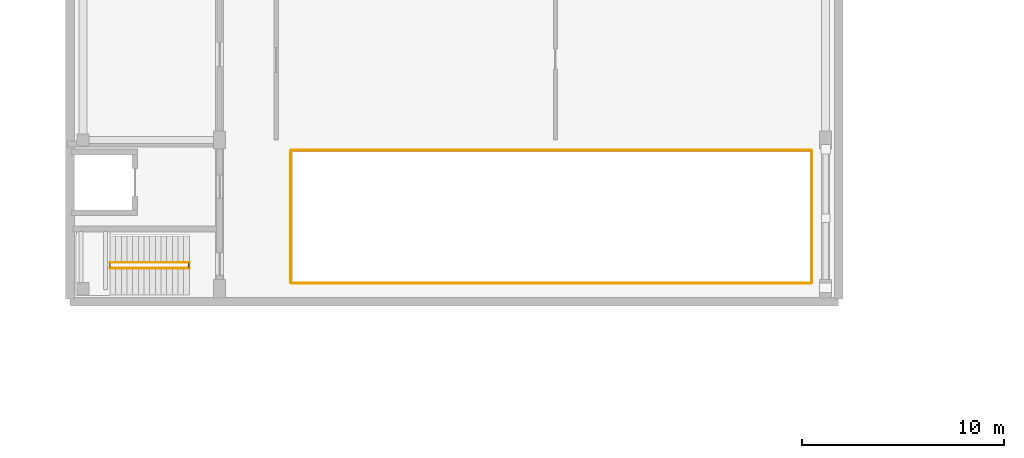
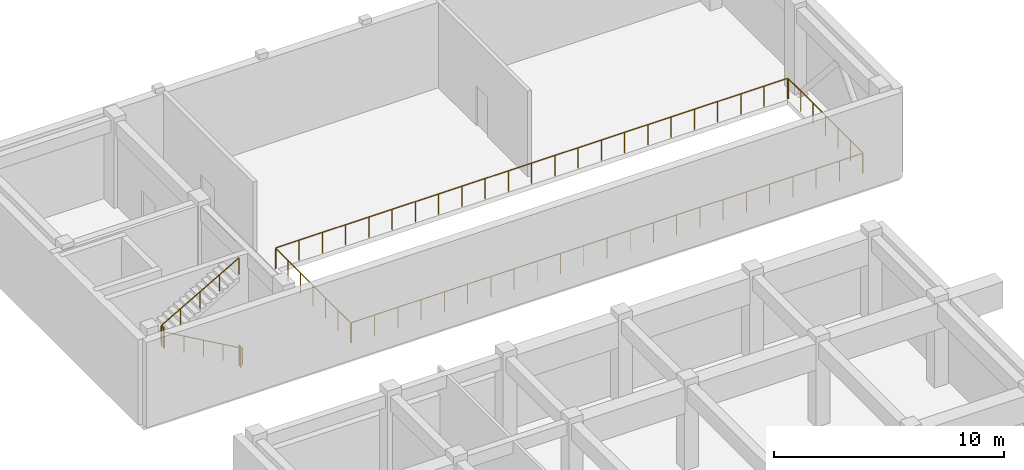
# One storey, part 57 of 64: 8 railings.
"""IFC4 building model written with IfcOpenShell, lengths in metres."""

import ifcopenshell
import ifcopenshell.guid

model = None  # the IFC model being written
_history = None  # IfcOwnerHistory: only IFC2X3 demands one
_inside = {}  # id of a spatial element -> (the spatial element, [elements in it])
_under = {}  # id of a project, library or spatial element -> (it, [spatial elements below it])
_declared = {}  # id of a project -> (the project, [libraries it declares])
_typed = {}  # id of a type object -> (the type object, [elements of that type])
_made_of = {}  # id of a material, layer set ... -> (it, [elements and type objects made of it])


def new_model(schema):
    """Start an empty IFC model of exactly this schema.

    Asked for "IFC4X3", IfcOpenShell would pick the latest addendum, in which some entities
    have other attributes; the version numbers below select the first issue.
    IFC2X3 requires an IfcOwnerHistory on every rooted entity: one is made here for all.
    """
    global model, _history
    if schema == "IFC4X3":
        model = ifcopenshell.file(schema_version=(4, 3, 0, 0))
    else:
        model = ifcopenshell.file(schema=schema)
    _inside.clear()
    _under.clear()
    _declared.clear()
    _typed.clear()
    _made_of.clear()
    _history = None
    if model.schema == "IFC2X3":
        org = make("IfcOrganization", Name="unknown")
        user = make(
            "IfcPersonAndOrganization",
            ThePerson=make("IfcPerson", FamilyName="unknown"),
            TheOrganization=org,
        )
        app = make(
            "IfcApplication",
            ApplicationDeveloper=org,
            Version="unknown",
            ApplicationFullName="unknown",
            ApplicationIdentifier="unknown",
        )
        _history = make(
            "IfcOwnerHistory",
            OwningUser=user,
            OwningApplication=app,
            ChangeAction="ADDED",
            CreationDate=0,
        )
    return model


def make(cls, **values):
    """One entity of the class cls with the attributes given. An attribute that is None is left unset."""
    return model.create_entity(
        cls, **{name: value for name, value in values.items() if value is not None}
    )


def rooted(cls, **values):
    """An entity with a GlobalId (a new one), such as an element, a storey or a relation."""
    return make(cls, GlobalId=ifcopenshell.guid.new(), OwnerHistory=_history, **values)


def si_unit(unit_type, name, prefix=None):
    """IfcSIUnit, for example si_unit("LENGTHUNIT", "METRE", prefix="MILLI")."""
    return make("IfcSIUnit", UnitType=unit_type, Prefix=prefix, Name=name)


def assignment(units):
    """IfcUnitAssignment: the units of a project."""
    return None if units is None else make("IfcUnitAssignment", Units=units)


def point(xyz):
    """IfcCartesianPoint."""
    return None if xyz is None else make("IfcCartesianPoint", Coordinates=xyz)


def direction(xyz):
    """IfcDirection."""
    return None if xyz is None else make("IfcDirection", DirectionRatios=xyz)


def frame(location, z_axis=None, x_axis=None):
    """IfcAxis2Placement3D, a coordinate frame: its origin and axes. An axis left out is left unset."""
    return make(
        "IfcAxis2Placement3D",
        Location=point(location),
        Axis=direction(z_axis),
        RefDirection=direction(x_axis),
    )


def frame_2d(location, x_axis=None):
    """IfcAxis2Placement2D, a coordinate frame in the plane: its origin and x axis."""
    return make(
        "IfcAxis2Placement2D", Location=point(location), RefDirection=direction(x_axis)
    )


def origin():
    """The frame at (0, 0, 0) with its axes left unset."""
    return frame((0.0, 0.0, 0.0))


def origin_2d():
    """The frame at (0, 0) in the plane with its x axis left unset."""
    return frame_2d((0.0, 0.0))


def place(relative_to, where):
    """IfcLocalPlacement: puts the frame where relative to a parent placement (None: the world)."""
    return make(
        "IfcLocalPlacement", PlacementRelTo=relative_to, RelativePlacement=where
    )


def context(
    kind, dimensions, precision=None, world=None, true_north=None, identifier=None
):
    """IfcGeometricRepresentationContext, for example the 3D "Model" context."""
    return make(
        "IfcGeometricRepresentationContext",
        ContextIdentifier=identifier,
        ContextType=kind,
        CoordinateSpaceDimension=dimensions,
        Precision=precision,
        WorldCoordinateSystem=world,
        TrueNorth=true_north,
    )


def subcontext(parent, identifier, kind, view, scale=None):
    """IfcGeometricRepresentationSubContext, for example "Body" below "Model"."""
    return make(
        "IfcGeometricRepresentationSubContext",
        ContextIdentifier=identifier,
        ContextType=kind,
        ParentContext=parent,
        TargetScale=scale,
        TargetView=view,
    )


def project(units=None, contexts=None):
    """IfcProject with its units and contexts."""
    return rooted(
        "IfcProject",
        Name="project",
        RepresentationContexts=contexts,
        UnitsInContext=assignment(units),
    )


def spatial(cls, under=None, at=None, **own):
    """A site, building, storey or space (cls), placed at a placement, below another one or the project."""
    s = rooted(cls, ObjectPlacement=at, **own)
    if under is not None:
        _under.setdefault(under.id(), (under, []))[1].append(s)
    return s


def profile(cls, at=None, kind="AREA", **sizes):
    """A parametric profile (cls). Its sizes go by their IFC names, for example OverallWidth=200.0."""
    return make(cls, ProfileType=kind, Position=at, **sizes)


def circle(**sizes):
    """IfcCircleProfileDef."""
    return profile("IfcCircleProfileDef", **sizes)


def extrude(swept, where, along, depth):
    """IfcExtrudedAreaSolid: the profile swept, set in the frame where, extruded along a direction by depth."""
    return make(
        "IfcExtrudedAreaSolid",
        SweptArea=swept,
        Position=where,
        ExtrudedDirection=direction(along),
        Depth=depth,
    )


def shape(context_of_items, identifier, shape_type, items):
    """IfcShapeRepresentation: the items that make up one representation, for example the "Body"."""
    return make(
        "IfcShapeRepresentation",
        ContextOfItems=context_of_items,
        RepresentationIdentifier=identifier,
        RepresentationType=shape_type,
        Items=items,
    )


def material(Name=None, Category=None):
    """IfcMaterial."""
    return make("IfcMaterial", Name=Name, Category=Category)


def made_of(thing, what):
    """Note that an element or type object is made of a material, layer set ...; save() writes the relation."""
    if what is not None:
        _made_of.setdefault(what.id(), (what, []))[1].append(thing)
    return thing


def type_object(cls, material=None, **own):
    """A type object (cls), such as IfcWallType, which elements share."""
    return made_of(rooted(cls, **own), material)


def element(
    cls,
    number,
    at=None,
    inside=None,
    cuts=None,
    type_object=None,
    material=None,
    context=None,
    identifier="Body",
    shape_type=None,
    held_by="IfcProductDefinitionShape",
    body=None,
    shapes=None,
    **own,
):
    """One element of the class cls, such as IfcWall. Its Tag is "e" and its number.

    at: its placement. inside: the storey or other place that contains it. cuts: it is an
    opening in that element (IfcRelVoidsElement). A single representation is given by context,
    identifier, shape_type and body (its items); several are given by shapes. held_by: the class
    of the entity that holds the representations. save() writes the other relations.
    """
    e = rooted(cls, Tag="e%d" % number, ObjectPlacement=at, **own)
    if body is not None:
        shapes = [shape(context, identifier, shape_type, body)]
    if shapes is not None:
        e.Representation = make(held_by, Representations=shapes)
    if inside is not None:
        _inside.setdefault(inside.id(), (inside, []))[1].append(e)
    if cuts is not None:
        rooted(
            "IfcRelVoidsElement", RelatingBuildingElement=cuts, RelatedOpeningElement=e
        )
    if type_object is not None:
        _typed.setdefault(type_object.id(), (type_object, []))[1].append(e)
    return made_of(e, material)


def aggregate(whole, parts):
    """IfcRelAggregates: a whole, such as a stair, and the parts it consists of."""
    return rooted("IfcRelAggregates", RelatingObject=whole, RelatedObjects=parts)


def save(model, path):
    """Write the relations noted so far, then the file.

    IfcRelAggregates (storeys below a building ...), IfcRelContainedInSpatialStructure (elements
    in a storey), IfcRelDefinesByType, IfcRelAssociatesMaterial and IfcRelDeclares: one each for
    every whole, place, type object, material and project.
    """
    for whole, parts in _under.values():
        aggregate(whole, parts)
    for where, things in _inside.values():
        rooted(
            "IfcRelContainedInSpatialStructure",
            RelatedElements=things,
            RelatingStructure=where,
        )
    for kind, things in _typed.values():
        rooted("IfcRelDefinesByType", RelatedObjects=things, RelatingType=kind)
    for what, things in _made_of.values():
        rooted("IfcRelAssociatesMaterial", RelatedObjects=things, RelatingMaterial=what)
    for by, libraries in _declared.values():
        rooted("IfcRelDeclares", RelatingContext=by, RelatedDefinitions=libraries)
    model.write(path)


model = new_model("IFC4")

# Units and contexts
model_context = context("Model", 3, precision=1e-05, world=origin(), true_north=direction((0.0, 1.0)))
body_context = subcontext(model_context, "Body", "Model", "MODEL_VIEW")
ifc_project = project(units=[si_unit("LENGTHUNIT", "METRE"), si_unit("AREAUNIT", "SQUARE_METRE"), si_unit("VOLUMEUNIT", "CUBIC_METRE"), si_unit("PLANEANGLEUNIT", "RADIAN"), si_unit("MASSUNIT", "GRAM", prefix="KILO")], contexts=[model_context])

# Site, building, storey
site_placement = place(None, origin())
site = spatial("IfcSite", under=ifc_project, at=site_placement, CompositionType="ELEMENT")
building_placement = place(site_placement, origin())
building = spatial("IfcBuilding", under=site, at=building_placement, Name="Cinchona Park Media Centre", CompositionType="ELEMENT")
storey_placement = place(building_placement, frame((0.0, 0.0, 5.39990234375)))
storey = spatial("IfcBuildingStorey", under=building, at=storey_placement, Name="L01", CompositionType="ELEMENT", Elevation=5.39990234375)

# Railings
ifc_material_1 = material(Name="Galvanised Painted Steel Balustrade", Category="steel")
railing_type_1 = type_object("IfcRailingType", Name="RAILING-GR01", PredefinedType="BALUSTRADE", material=ifc_material_1)
railing_1_placement = place(storey_placement, frame((18.951904296875, 102.919921875, 0.0)))
element("IfcRailing", 1, at=railing_1_placement, inside=storey, type_object=railing_type_1, Name="Atrium Balustrade GR01 VOID-L01-BST1 S1", PredefinedType="BALUSTRADE", context=body_context, shape_type="SweptSolid", body=[
    extrude(circle(Radius=0.02392578125, at=origin_2d()), frame((0.0, 0.0, 1.076171875), z_axis=(1.0, 0.0, 0.0), x_axis=(0.0, 1.0, 0.0)), (0.0, 0.0, 1.0), 25.696044921875),
    extrude(circle(Radius=0.02099609375, at=origin_2d()), origin(), (0.0, 0.0, 1.0), 1.052001953125),
    extrude(circle(Radius=0.02099609375, at=origin_2d()), frame((1.16796875, 0.0, 0.0)), (0.0, 0.0, 1.0), 1.052001953125),
    extrude(circle(Radius=0.02099609375, at=origin_2d()), frame((2.3359375, 0.0, 0.0)), (0.0, 0.0, 1.0), 1.052001953125),
    extrude(circle(Radius=0.02099609375, at=origin_2d()), frame((3.50390625, 0.0, 0.0)), (0.0, 0.0, 1.0), 1.052001953125),
    extrude(circle(Radius=0.02099609375, at=origin_2d()), frame((4.672119140625, 0.0, 0.0)), (0.0, 0.0, 1.0), 1.052001953125),
    extrude(circle(Radius=0.02099609375, at=origin_2d()), frame((5.840087890625, 0.0, 0.0)), (0.0, 0.0, 1.0), 1.052001953125),
    extrude(circle(Radius=0.02099609375, at=origin_2d()), frame((7.008056640625, 0.0, 0.0)), (0.0, 0.0, 1.0), 1.052001953125),
    extrude(circle(Radius=0.02099609375, at=origin_2d()), frame((8.176025390625, 0.0, 0.0)), (0.0, 0.0, 1.0), 1.052001953125),
    extrude(circle(Radius=0.02099609375, at=origin_2d()), frame((9.343994140625, 0.0, 0.0)), (0.0, 0.0, 1.0), 1.052001953125),
    extrude(circle(Radius=0.02099609375, at=origin_2d()), frame((10.511962890625, 0.0, 0.0)), (0.0, 0.0, 1.0), 1.052001953125),
    extrude(circle(Radius=0.02099609375, at=origin_2d()), frame((11.679931640625, 0.0, 0.0)), (0.0, 0.0, 1.0), 1.052001953125),
    extrude(circle(Radius=0.02099609375, at=origin_2d()), frame((12.84814453125, 0.0, 0.0)), (0.0, 0.0, 1.0), 1.052001953125),
    extrude(circle(Radius=0.02099609375, at=origin_2d()), frame((14.01611328125, 0.0, 0.0)), (0.0, 0.0, 1.0), 1.052001953125),
    extrude(circle(Radius=0.02099609375, at=origin_2d()), frame((15.18408203125, 0.0, 0.0)), (0.0, 0.0, 1.0), 1.052001953125),
    extrude(circle(Radius=0.02099609375, at=origin_2d()), frame((16.35205078125, 0.0, 0.0)), (0.0, 0.0, 1.0), 1.052001953125),
    extrude(circle(Radius=0.02099609375, at=origin_2d()), frame((17.52001953125, 0.0, 0.0)), (0.0, 0.0, 1.0), 1.052001953125),
    extrude(circle(Radius=0.02099609375, at=origin_2d()), frame((18.68798828125, 0.0, 0.0)), (0.0, 0.0, 1.0), 1.052001953125),
    extrude(circle(Radius=0.02099609375, at=origin_2d()), frame((19.85595703125, 0.0, 0.0)), (0.0, 0.0, 1.0), 1.052001953125),
    extrude(circle(Radius=0.02099609375, at=origin_2d()), frame((21.02392578125, 0.0, 0.0)), (0.0, 0.0, 1.0), 1.052001953125),
    extrude(circle(Radius=0.02099609375, at=origin_2d()), frame((22.192138671875, 0.0, 0.0)), (0.0, 0.0, 1.0), 1.052001953125),
    extrude(circle(Radius=0.02099609375, at=origin_2d()), frame((23.360107421875, 0.0, 0.0)), (0.0, 0.0, 1.0), 1.052001953125),
    extrude(circle(Radius=0.02099609375, at=origin_2d()), frame((24.528076171875, 0.0, 0.0)), (0.0, 0.0, 1.0), 1.052001953125),
    extrude(circle(Radius=0.02099609375, at=origin_2d()), frame((25.696044921875, 0.0, 0.0)), (0.0, 0.0, 1.0), 1.052001953125),
])
railing_2_placement = place(storey_placement, frame((44.679931640625, 102.951904296875, 0.0)))
element("IfcRailing", 2, at=railing_2_placement, inside=storey, type_object=railing_type_1, Name="Atrium Balustrade GR01 VOID-L01-BST1 S2", PredefinedType="BALUSTRADE", context=body_context, shape_type="SweptSolid", body=[
    extrude(circle(Radius=0.02392578125, at=origin_2d()), frame((0.0, 0.0, 1.076171875), z_axis=(0.0, 1.0, 0.0), x_axis=(-1.0, 0.0, 0.0)), (0.0, 0.0, 1.0), 6.49609375),
    extrude(circle(Radius=0.02099609375, at=origin_2d()), origin(), (0.0, 0.0, 1.0), 1.052001953125),
    extrude(circle(Radius=0.02099609375, at=origin_2d()), frame((0.0, 1.082763671875, 0.0)), (0.0, 0.0, 1.0), 1.052001953125),
    extrude(circle(Radius=0.02099609375, at=origin_2d()), frame((0.0, 2.165283203125, 0.0)), (0.0, 0.0, 1.0), 1.052001953125),
    extrude(circle(Radius=0.02099609375, at=origin_2d()), frame((0.0, 3.248046875, 0.0)), (0.0, 0.0, 1.0), 1.052001953125),
    extrude(circle(Radius=0.02099609375, at=origin_2d()), frame((0.0, 4.330810546875, 0.0)), (0.0, 0.0, 1.0), 1.052001953125),
    extrude(circle(Radius=0.02099609375, at=origin_2d()), frame((0.0, 5.413330078125, 0.0)), (0.0, 0.0, 1.0), 1.052001953125),
    extrude(circle(Radius=0.02099609375, at=origin_2d()), frame((0.0, 6.49609375, 0.0)), (0.0, 0.0, 1.0), 1.052001953125),
])
railing_3_placement = place(storey_placement, frame((44.64794921875, 109.47998046875, 0.0)))
element("IfcRailing", 3, at=railing_3_placement, inside=storey, type_object=railing_type_1, Name="Atrium Balustrade GR01 VOID-L01-BST1 S3", PredefinedType="BALUSTRADE", context=body_context, shape_type="SweptSolid", body=[
    extrude(circle(Radius=0.02392578125, at=origin_2d()), frame((0.0, 0.0, 1.076171875), z_axis=(-1.0, 0.0, 0.0), x_axis=(0.0, -1.0, 0.0)), (0.0, 0.0, 1.0), 25.696044921875),
    extrude(circle(Radius=0.02099609375, at=origin_2d()), origin(), (0.0, 0.0, 1.0), 1.052001953125),
    extrude(circle(Radius=0.02099609375, at=origin_2d()), frame((-1.16796875, 0.0, 0.0)), (0.0, 0.0, 1.0), 1.052001953125),
    extrude(circle(Radius=0.02099609375, at=origin_2d()), frame((-2.3359375, 0.0, 0.0)), (0.0, 0.0, 1.0), 1.052001953125),
    extrude(circle(Radius=0.02099609375, at=origin_2d()), frame((-3.50390625, 0.0, 0.0)), (0.0, 0.0, 1.0), 1.052001953125),
    extrude(circle(Radius=0.02099609375, at=origin_2d()), frame((-4.672119140625, 0.0, 0.0)), (0.0, 0.0, 1.0), 1.052001953125),
    extrude(circle(Radius=0.02099609375, at=origin_2d()), frame((-5.840087890625, 0.0, 0.0)), (0.0, 0.0, 1.0), 1.052001953125),
    extrude(circle(Radius=0.02099609375, at=origin_2d()), frame((-7.008056640625, 0.0, 0.0)), (0.0, 0.0, 1.0), 1.052001953125),
    extrude(circle(Radius=0.02099609375, at=origin_2d()), frame((-8.176025390625, 0.0, 0.0)), (0.0, 0.0, 1.0), 1.052001953125),
    extrude(circle(Radius=0.02099609375, at=origin_2d()), frame((-9.343994140625, 0.0, 0.0)), (0.0, 0.0, 1.0), 1.052001953125),
    extrude(circle(Radius=0.02099609375, at=origin_2d()), frame((-10.511962890625, 0.0, 0.0)), (0.0, 0.0, 1.0), 1.052001953125),
    extrude(circle(Radius=0.02099609375, at=origin_2d()), frame((-11.679931640625, 0.0, 0.0)), (0.0, 0.0, 1.0), 1.052001953125),
    extrude(circle(Radius=0.02099609375, at=origin_2d()), frame((-12.84814453125, 0.0, 0.0)), (0.0, 0.0, 1.0), 1.052001953125),
    extrude(circle(Radius=0.02099609375, at=origin_2d()), frame((-14.01611328125, 0.0, 0.0)), (0.0, 0.0, 1.0), 1.052001953125),
    extrude(circle(Radius=0.02099609375, at=origin_2d()), frame((-15.18408203125, 0.0, 0.0)), (0.0, 0.0, 1.0), 1.052001953125),
    extrude(circle(Radius=0.02099609375, at=origin_2d()), frame((-16.35205078125, 0.0, 0.0)), (0.0, 0.0, 1.0), 1.052001953125),
    extrude(circle(Radius=0.02099609375, at=origin_2d()), frame((-17.52001953125, 0.0, 0.0)), (0.0, 0.0, 1.0), 1.052001953125),
    extrude(circle(Radius=0.02099609375, at=origin_2d()), frame((-18.68798828125, 0.0, 0.0)), (0.0, 0.0, 1.0), 1.052001953125),
    extrude(circle(Radius=0.02099609375, at=origin_2d()), frame((-19.85595703125, 0.0, 0.0)), (0.0, 0.0, 1.0), 1.052001953125),
    extrude(circle(Radius=0.02099609375, at=origin_2d()), frame((-21.02392578125, 0.0, 0.0)), (0.0, 0.0, 1.0), 1.052001953125),
    extrude(circle(Radius=0.02099609375, at=origin_2d()), frame((-22.192138671875, 0.0, 0.0)), (0.0, 0.0, 1.0), 1.052001953125),
    extrude(circle(Radius=0.02099609375, at=origin_2d()), frame((-23.360107421875, 0.0, 0.0)), (0.0, 0.0, 1.0), 1.052001953125),
    extrude(circle(Radius=0.02099609375, at=origin_2d()), frame((-24.528076171875, 0.0, 0.0)), (0.0, 0.0, 1.0), 1.052001953125),
    extrude(circle(Radius=0.02099609375, at=origin_2d()), frame((-25.696044921875, 0.0, 0.0)), (0.0, 0.0, 1.0), 1.052001953125),
])
railing_4_placement = place(storey_placement, frame((18.919921875, 109.447998046875, 0.0)))
element("IfcRailing", 4, at=railing_4_placement, inside=storey, type_object=railing_type_1, Name="Atrium Balustrade GR01 VOID-L01-BST1 S4", PredefinedType="BALUSTRADE", context=body_context, shape_type="SweptSolid", body=[
    extrude(circle(Radius=0.02392578125, at=origin_2d()), frame((0.0, 0.0, 1.076171875), z_axis=(0.0, -1.0, 0.0), x_axis=(1.0, 0.0, 0.0)), (0.0, 0.0, 1.0), 6.49609375),
    extrude(circle(Radius=0.02099609375, at=origin_2d()), origin(), (0.0, 0.0, 1.0), 1.052001953125),
    extrude(circle(Radius=0.02099609375, at=origin_2d()), frame((0.0, -1.082763671875, 0.0)), (0.0, 0.0, 1.0), 1.052001953125),
    extrude(circle(Radius=0.02099609375, at=origin_2d()), frame((0.0, -2.165283203125, 0.0)), (0.0, 0.0, 1.0), 1.052001953125),
    extrude(circle(Radius=0.02099609375, at=origin_2d()), frame((0.0, -3.248046875, 0.0)), (0.0, 0.0, 1.0), 1.052001953125),
    extrude(circle(Radius=0.02099609375, at=origin_2d()), frame((0.0, -4.330810546875, 0.0)), (0.0, 0.0, 1.0), 1.052001953125),
    extrude(circle(Radius=0.02099609375, at=origin_2d()), frame((0.0, -5.413330078125, 0.0)), (0.0, 0.0, 1.0), 1.052001953125),
    extrude(circle(Radius=0.02099609375, at=origin_2d()), frame((0.0, -6.49609375, 0.0)), (0.0, 0.0, 1.0), 1.052001953125),
])
ifc_material_2 = material(Name="Painted Steel Stairwell Guardrail", Category="steel")
railing_type_2 = type_object("IfcRailingType", Name="RAILING-GR02", PredefinedType="GUARDRAIL", material=ifc_material_2)
for number, where, name in (
    (5, (13.864990234375, 103.719970703125, 0.0), "Stairwell Guardrail GR02 ST4 L01"),
    (6, (9.97998046875, 103.719970703125, 2.400146484375), "Half-Landing Guardrail GR02 ST4 L01"),
):
    element("IfcRailing", number, at=place(storey_placement, frame(where)), inside=storey, type_object=railing_type_2, Name=name, PredefinedType="GUARDRAIL", context=body_context, shape_type="SweptSolid", body=[
        extrude(circle(Radius=0.02392578125, at=origin_2d()), frame((0.0, 0.0, 1.076171875), z_axis=(0.0, 1.0, 0.0), x_axis=(-1.0, 0.0, 0.0)), (0.0, 0.0, 1.0), 0.159912109375),
        extrude(circle(Radius=0.02099609375, at=origin_2d()), origin(), (0.0, 0.0, 1.0), 1.052001953125),
        extrude(circle(Radius=0.02099609375, at=origin_2d()), frame((0.0, 0.159912109375, 0.0)), (0.0, 0.0, 1.0), 1.052001953125),
    ])
ifc_material_3 = material(Name="Brushed Stainless Steel Handrail", Category="steel")
railing_type_3 = type_object("IfcRailingType", Name="RAILING-HR01", PredefinedType="HANDRAIL", material=ifc_material_3)
railing_5_placement = place(storey_placement, frame((13.89990234375, 103.659912109375, 0.16015625)))
element("IfcRailing", 7, at=railing_5_placement, inside=storey, type_object=railing_type_3, Name="Stair Handrail HR01 ST4 L01 F1", PredefinedType="HANDRAIL", context=body_context, shape_type="SweptSolid", body=[
    extrude(circle(Radius=0.02392578125, at=origin_2d()), frame((0.0, 0.0, 0.8759765625), z_axis=(-0.868239814368, 0.0, 0.496144761885), x_axis=(0.0, -1.0, 0.0)), (0.0, 0.0, 1.0), 4.514892578125),
    extrude(circle(Radius=0.02099609375, at=origin_2d()), origin(), (0.0, 0.0, 1.0), 0.851806640625),
    extrude(circle(Radius=0.02099609375, at=origin_2d()), frame((-0.97998046875, 0.0, 0.56005859375)), (0.0, 0.0, 1.0), 0.851806640625),
    extrude(circle(Radius=0.02099609375, at=origin_2d()), frame((-1.9599609375, 0.0, 1.1201171875)), (0.0, 0.0, 1.0), 0.851806640625),
    extrude(circle(Radius=0.02099609375, at=origin_2d()), frame((-2.93994140625, 0.0, 1.679931640625)), (0.0, 0.0, 1.0), 0.851806640625),
    extrude(circle(Radius=0.02099609375, at=origin_2d()), frame((-3.919921875, 0.0, 2.239990234375)), (0.0, 0.0, 1.0), 0.851806640625),
])
railing_6_placement = place(storey_placement, frame((9.97998046875, 103.93994140625, 2.56005859375)))
element("IfcRailing", 8, at=railing_6_placement, inside=storey, type_object=railing_type_3, Name="Stair Handrail HR01 ST4 L01 F2", PredefinedType="HANDRAIL", context=body_context, shape_type="SweptSolid", body=[
    extrude(circle(Radius=0.02392578125, at=origin_2d()), frame((0.0, 0.0, 0.8759765625), z_axis=(0.868239814368, 0.0, 0.496144761885), x_axis=(0.0, 1.0, 0.0)), (0.0, 0.0, 1.0), 4.514892578125),
    extrude(circle(Radius=0.02099609375, at=origin_2d()), origin(), (0.0, 0.0, 1.0), 0.851806640625),
    extrude(circle(Radius=0.02099609375, at=origin_2d()), frame((0.97998046875, 0.0, 0.56005859375)), (0.0, 0.0, 1.0), 0.851806640625),
    extrude(circle(Radius=0.02099609375, at=origin_2d()), frame((1.9599609375, 0.0, 1.1201171875)), (0.0, 0.0, 1.0), 0.851806640625),
    extrude(circle(Radius=0.02099609375, at=origin_2d()), frame((2.93994140625, 0.0, 1.679931640625)), (0.0, 0.0, 1.0), 0.851806640625),
    extrude(circle(Radius=0.02099609375, at=origin_2d()), frame((3.919921875, 0.0, 2.239990234375)), (0.0, 0.0, 1.0), 0.851806640625),
])

save(model, "model.ifc")
